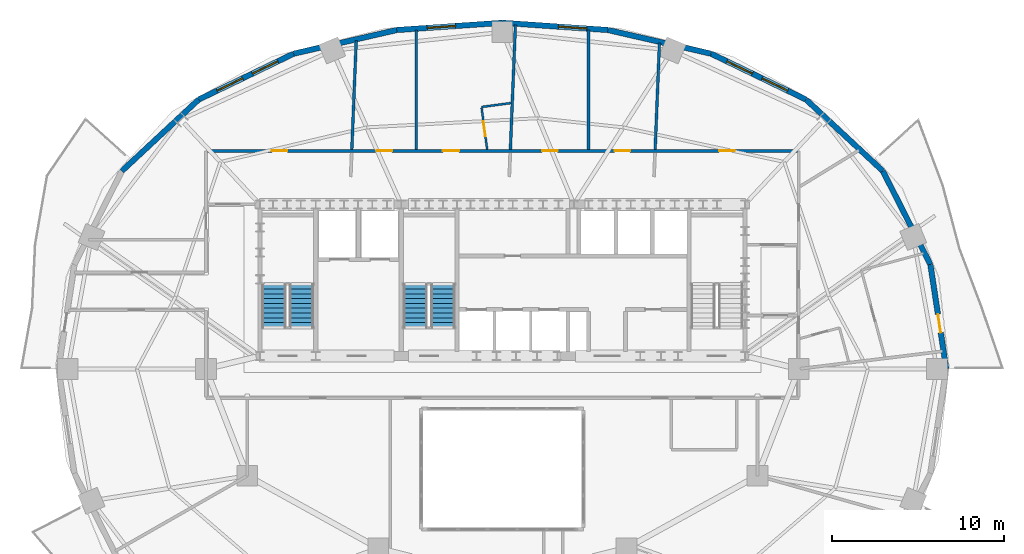
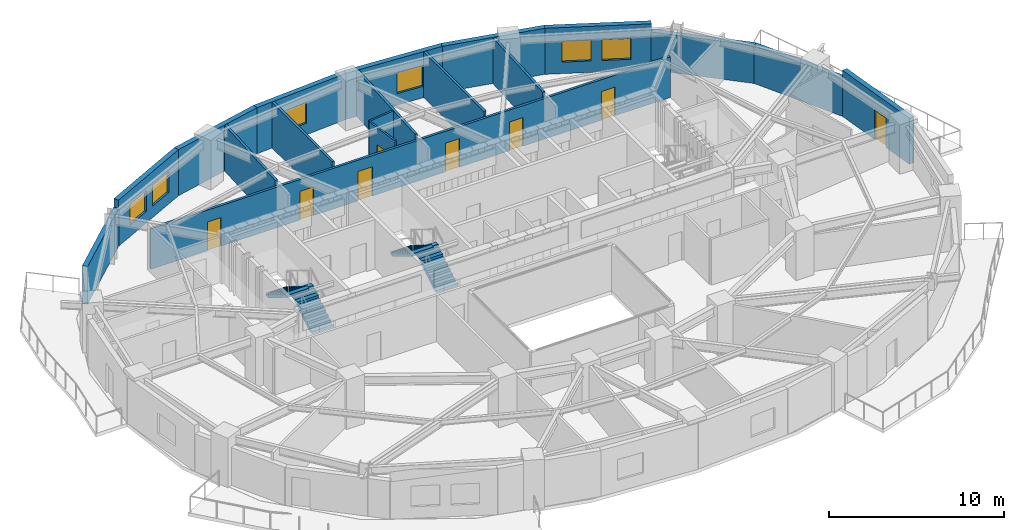
# One storey, part 8 of 13: 18 walls, 8 doors, 6 windows, 4 stair flights, 14 openings, 2 elements without a shape of their own.
"""IFC4 building model written with IfcOpenShell, lengths in metres."""

from ifc_helpers import new_model, si_unit, direction, frame, frame_2d, origin, place, context, subcontext, project, spatial, polyline, rectangle, outline, extrude, material, layer, layer_set, type_object, element, fill, aggregate, save


model = new_model("IFC4")

# Units and contexts
model_context = context("Model", 3, precision=1e-05, world=origin(), true_north=direction((0.0, 1.0)))
body_context = subcontext(model_context, "Body", "Model", "MODEL_VIEW")
ifc_project = project(units=[si_unit("LENGTHUNIT", "METRE"), si_unit("AREAUNIT", "SQUARE_METRE"), si_unit("VOLUMEUNIT", "CUBIC_METRE"), si_unit("PLANEANGLEUNIT", "RADIAN"), si_unit("MASSUNIT", "GRAM", prefix="KILO")], contexts=[model_context])

# Site, building, storey
site_placement = place(None, origin())
site = spatial("IfcSite", under=ifc_project, at=site_placement, CompositionType="ELEMENT")
building_placement = place(site_placement, origin())
building = spatial("IfcBuilding", under=site, at=building_placement, Name="Haldorwick Loom Tower", CompositionType="ELEMENT")
storey_placement = place(building_placement, frame((0.0, 0.0, 139.10009765625)))
storey = spatial("IfcBuildingStorey", under=building, at=storey_placement, Name="L37", CompositionType="ELEMENT", Elevation=139.10009765625)

# Wall, opening, door
ifc_material_1 = material(Name="Pressed Clay Face Brick and Insulated Masonry Backup Assembly", Category="masonry")
ifc_layer_1 = layer(ifc_material_1, 0.320068359375, Name="Pressed Clay Face Brick and Insulated Masonry Backup Assembly", Category="masonry")
ifc_layer_set_1 = layer_set([ifc_layer_1], Name="Pressed Clay Face Brick and Insulated Masonry Backup Assembly")
wall_type_1 = type_object("IfcWallType", Name="ARC-WL-EXT320", PredefinedType="STANDARD", material=ifc_layer_set_1)
wall_1_placement = place(storey_placement, frame((61.757080078125, 26.0, 0.0), z_axis=(0.0, 0.0, 1.0), x_axis=(-0.150544467684, 0.988603238539, 0.0)))
wall_1 = element("IfcWall", 1, at=wall_1_placement, inside=storey, type_object=wall_type_1, Name="L37 Brick Pier and Spandrel Wall 1", PredefinedType="STANDARD", context=body_context, shape_type="SweptSolid", body=[
    extrude(rectangle(XDim=6.125244140625, YDim=0.320068359375, at=frame_2d((3.0625, 0.0))), origin(), (0.0, 0.0, 1.0), 3.2099609375),
])
opening_1_placement = place(wall_1_placement, frame((2.1337890625, 0.0, 0.0)))
opening_1 = element("IfcOpeningElement", 2, at=opening_1_placement, cuts=wall_1, Name="Opening D-BL11", PredefinedType="OPENING", context=body_context, shape_type="SweptSolid", body=[
    extrude(rectangle(XDim=1.080078125, YDim=2.0400390625, at=frame_2d((0.5400390625, 1.02001953125))), frame((0.0, 0.169921875, 0.0), z_axis=(0.0, -1.0, 0.0), x_axis=(1.0, 0.0, 0.0)), (0.0, 0.0, 1.0), 0.340087890625),
])
ifc_material_2 = material(Name="Thermally Broken Anodized Aluminium Curtain Wall Framing", Category="aluminium")
door_type_1 = type_object("IfcDoorType", Name="ARC-DR-BAL110", OperationType="NOTDEFINED", PredefinedType="DOOR", material=ifc_material_2)
door_1_placement = place(opening_1_placement, origin())
door_1 = element("IfcDoor", 3, at=door_1_placement, inside=storey, type_object=door_type_1, Name="L37 Outdoor Terrace Door SLB-L37-BAL_ENE", OperationType="SINGLE_SWING_RIGHT", OverallHeight=2.0400390625, OverallWidth=1.080078125, PredefinedType="DOOR", context=body_context, shape_type="SweptSolid", body=[
    extrude(rectangle(XDim=1.080078125, YDim=2.0400390625, at=frame_2d((0.5400390625, 1.02001953125))), frame((0.0, 0.02490234375, 0.0), z_axis=(0.0, -1.0, 0.0), x_axis=(1.0, 0.0, 0.0)), (0.0, 0.0, 1.0), 0.050048828125),
])
fill(opening_1, door_1)

# Walls
wall_2_placement = place(storey_placement, frame((60.8349609375, 32.055419921875, 0.0), z_axis=(0.0, 0.0, 1.0), x_axis=(-0.453172129629, 0.89142303141, 0.0)))
element("IfcWall", 4, at=wall_2_placement, inside=storey, type_object=wall_type_1, Name="L37 Brick Pier and Spandrel Wall 2", PredefinedType="STANDARD", context=body_context, shape_type="SweptSolid", body=[
    extrude(rectangle(XDim=6.086669921875, YDim=0.320068359375, at=frame_2d((3.04345703125, 0.0))), origin(), (0.0, 0.0, 1.0), 2.640869140625),
])
wall_3_placement = place(storey_placement, frame((58.07666015625, 37.481201171875, 0.0), z_axis=(0.0, 0.0, 1.0), x_axis=(-0.732001571644, 0.681302942244, 0.0)))
element("IfcWall", 5, at=wall_3_placement, inside=storey, type_object=wall_type_1, Name="L37 Brick Pier and Spandrel Wall 3", PredefinedType="STANDARD", context=body_context, shape_type="SweptSolid", body=[
    extrude(rectangle(XDim=6.0869140625, YDim=0.320068359375, at=frame_2d((3.04345703125, 0.0))), origin(), (0.0, 0.0, 1.0), 2.640869140625),
])

# Wall, openings, windows
wall_4_placement = place(storey_placement, frame((53.62109375, 41.628173828125, 0.0), z_axis=(0.0, 0.0, 1.0), x_axis=(-0.900472429216, 0.43491309962, 0.0)))
wall_4 = element("IfcWall", 6, at=wall_4_placement, inside=storey, type_object=wall_type_1, Name="L37 Brick Pier and Spandrel Wall 4", PredefinedType="STANDARD", context=body_context, shape_type="SweptSolid", body=[
    extrude(rectangle(XDim=6.1181640625, YDim=0.320068359375, at=frame_2d((3.05908203125, 0.0))), origin(), (0.0, 0.0, 1.0), 3.2099609375),
])
opening_2_placement = place(wall_4_placement, frame((1.181884765625, 0.0, 0.800048828125)))
opening_2 = element("IfcOpeningElement", 7, at=opening_2_placement, cuts=wall_4, Name="Opening W-01B", PredefinedType="OPENING", context=body_context, shape_type="SweptSolid", body=[
    extrude(rectangle(XDim=1.64990234375, YDim=1.449951171875, at=frame_2d((0.824951171875, 0.72509765625))), frame((0.0, 0.169921875, 0.0), z_axis=(0.0, -1.0, 0.0), x_axis=(1.0, 0.0, 0.0)), (0.0, 0.0, 1.0), 0.340087890625),
])
opening_3_placement = place(wall_4_placement, frame((3.4580078125, 0.0, 0.800048828125)))
opening_3 = element("IfcOpeningElement", 8, at=opening_3_placement, cuts=wall_4, Name="Opening W-01B", PredefinedType="OPENING", context=body_context, shape_type="SweptSolid", body=[
    extrude(rectangle(XDim=1.64990234375, YDim=1.449951171875, at=frame_2d((0.824951171875, 0.72509765625))), frame((0.0, 0.169921875, 0.0), z_axis=(0.0, -1.0, 0.0), x_axis=(1.0, 0.0, 0.0)), (0.0, 0.0, 1.0), 0.340087890625),
])
ifc_material_3 = material(Name="Triple-Glazed Low-E Argon Insulated Glazing Unit", Category="glass")
window_type = type_object("IfcWindowType", Name="ARC-WIN-W165", PartitioningType="SINGLE_PANEL", PredefinedType="WINDOW", material=ifc_material_3)
window_1_placement = place(opening_2_placement, origin())
window_1 = element("IfcWindow", 9, at=window_1_placement, inside=storey, type_object=window_type, Name="L37 Deep-Set Zone 7A Window 4", OverallHeight=1.449951171875, OverallWidth=1.64990234375, PartitioningType="SINGLE_PANEL", PredefinedType="WINDOW", context=body_context, shape_type="SweptSolid", body=[
    extrude(rectangle(XDim=1.64990234375, YDim=1.449951171875, at=frame_2d((0.824951171875, 0.72509765625))), frame((0.0, 0.030029296875, 0.0), z_axis=(0.0, -1.0, 0.0), x_axis=(1.0, 0.0, 0.0)), (0.0, 0.0, 1.0), 0.06005859375),
])
fill(opening_2, window_1)
window_2_placement = place(opening_3_placement, origin())
window_2 = element("IfcWindow", 10, at=window_2_placement, inside=storey, type_object=window_type, Name="L37 Deep-Set Zone 7A Window 4", OverallHeight=1.449951171875, OverallWidth=1.64990234375, PartitioningType="SINGLE_PANEL", PredefinedType="WINDOW", context=body_context, shape_type="SweptSolid", body=[
    extrude(rectangle(XDim=1.64990234375, YDim=1.449951171875, at=frame_2d((0.824951171875, 0.72509765625))), frame((0.0, 0.030029296875, 0.0), z_axis=(0.0, -1.0, 0.0), x_axis=(1.0, 0.0, 0.0)), (0.0, 0.0, 1.0), 0.06005859375),
])
fill(opening_3, window_2)

# Wall
wall_5_placement = place(storey_placement, frame((48.11181640625, 44.2890625, 0.0), z_axis=(0.0, 0.0, 1.0), x_axis=(-0.974593223547, 0.223982250674, 0.0)))
element("IfcWall", 11, at=wall_5_placement, inside=storey, type_object=wall_type_1, Name="L37 Brick Pier and Spandrel Wall 5", PredefinedType="STANDARD", context=body_context, shape_type="SweptSolid", body=[
    extrude(rectangle(XDim=6.138916015625, YDim=0.320068359375, at=frame_2d((3.0693359375, 0.0))), origin(), (0.0, 0.0, 1.0), 3.2099609375),
])

# Wall, opening, window
wall_6_placement = place(storey_placement, frame((42.12890625, 45.6640625, 0.0), z_axis=(0.0, 0.0, 1.0), x_axis=(-0.997652942988, 0.068473391522, 0.0)))
wall_6 = element("IfcWall", 12, at=wall_6_placement, inside=storey, type_object=wall_type_1, Name="L37 Brick Pier and Spandrel Wall 6", PredefinedType="STANDARD", context=body_context, shape_type="SweptSolid", body=[
    extrude(rectangle(XDim=6.143310546875, YDim=0.320068359375, at=frame_2d((3.07177734375, 0.0))), origin(), (0.0, 0.0, 1.0), 3.2099609375),
])
opening_4_placement = place(wall_6_placement, frame((1.233642578125, 0.0, 0.800048828125)))
opening_4 = element("IfcOpeningElement", 13, at=opening_4_placement, cuts=wall_6, Name="Opening W-01B", PredefinedType="OPENING", context=body_context, shape_type="SweptSolid", body=[
    extrude(rectangle(XDim=1.64990234375, YDim=1.449951171875, at=frame_2d((0.824951171875, 0.72509765625))), frame((0.0, 0.169921875, 0.0), z_axis=(0.0, -1.0, 0.0), x_axis=(1.0, 0.0, 0.0)), (0.0, 0.0, 1.0), 0.340087890625),
])
window_3_placement = place(opening_4_placement, origin())
window_3 = element("IfcWindow", 14, at=window_3_placement, inside=storey, type_object=window_type, Name="L37 Deep-Set Zone 7A Window 6", OverallHeight=1.449951171875, OverallWidth=1.64990234375, PartitioningType="SINGLE_PANEL", PredefinedType="WINDOW", context=body_context, shape_type="SweptSolid", body=[
    extrude(rectangle(XDim=1.64990234375, YDim=1.449951171875, at=frame_2d((0.824951171875, 0.72509765625))), frame((0.0, 0.030029296875, 0.0), z_axis=(0.0, -1.0, 0.0), x_axis=(1.0, 0.0, 0.0)), (0.0, 0.0, 1.0), 0.06005859375),
])
fill(opening_4, window_3)

wall_7_placement = place(storey_placement, frame((36.0, 46.084716796875, 0.0), z_axis=(0.0, 0.0, 1.0), x_axis=(-0.997652942988, -0.068473391522, 0.0)))
wall_7 = element("IfcWall", 15, at=wall_7_placement, inside=storey, type_object=wall_type_1, Name="L37 Brick Pier and Spandrel Wall 7", PredefinedType="STANDARD", context=body_context, shape_type="SweptSolid", body=[
    extrude(rectangle(XDim=6.143310546875, YDim=0.320068359375, at=frame_2d((3.07177734375, 0.0))), origin(), (0.0, 0.0, 1.0), 3.2099609375),
])
opening_5_placement = place(wall_7_placement, frame((2.723388671875, 0.0, 0.800048828125)))
opening_5 = element("IfcOpeningElement", 16, at=opening_5_placement, cuts=wall_7, Name="Opening W-01B", PredefinedType="OPENING", context=body_context, shape_type="SweptSolid", body=[
    extrude(rectangle(XDim=1.64990234375, YDim=1.449951171875, at=frame_2d((0.824951171875, 0.72509765625))), frame((0.0, 0.169921875, 0.0), z_axis=(0.0, -1.0, 0.0), x_axis=(1.0, 0.0, 0.0)), (0.0, 0.0, 1.0), 0.340087890625),
])
window_4_placement = place(opening_5_placement, origin())
window_4 = element("IfcWindow", 17, at=window_4_placement, inside=storey, type_object=window_type, Name="L37 Deep-Set Zone 7A Window 7", OverallHeight=1.449951171875, OverallWidth=1.64990234375, PartitioningType="SINGLE_PANEL", PredefinedType="WINDOW", context=body_context, shape_type="SweptSolid", body=[
    extrude(rectangle(XDim=1.64990234375, YDim=1.449951171875, at=frame_2d((0.824951171875, 0.72509765625))), frame((0.0, 0.030029296875, 0.0), z_axis=(0.0, -1.0, 0.0), x_axis=(1.0, 0.0, 0.0)), (0.0, 0.0, 1.0), 0.06005859375),
])
fill(opening_5, window_4)

# Wall
wall_8_placement = place(storey_placement, frame((29.87109375, 45.6640625, 0.0), z_axis=(0.0, 0.0, 1.0), x_axis=(-0.974593223547, -0.223982250674, 0.0)))
element("IfcWall", 18, at=wall_8_placement, inside=storey, type_object=wall_type_1, Name="L37 Brick Pier and Spandrel Wall 8", PredefinedType="STANDARD", context=body_context, shape_type="SweptSolid", body=[
    extrude(rectangle(XDim=6.138916015625, YDim=0.320068359375, at=frame_2d((3.0693359375, 0.0))), origin(), (0.0, 0.0, 1.0), 3.2099609375),
])

# Wall, openings, windows
wall_9_placement = place(storey_placement, frame((23.88818359375, 44.2890625, 0.0), z_axis=(0.0, 0.0, 1.0), x_axis=(-0.900479976617, -0.434897472644, 0.0)))
wall_9 = element("IfcWall", 19, at=wall_9_placement, inside=storey, type_object=wall_type_1, Name="L37 Brick Pier and Spandrel Wall 9", PredefinedType="STANDARD", context=body_context, shape_type="SweptSolid", body=[
    extrude(rectangle(XDim=6.118408203125, YDim=0.320068359375, at=frame_2d((3.05908203125, 0.0))), origin(), (0.0, 0.0, 1.0), 3.2099609375),
])
opening_6_placement = place(wall_9_placement, frame((1.010498046875, 0.0, 0.800048828125)))
opening_6 = element("IfcOpeningElement", 20, at=opening_6_placement, cuts=wall_9, Name="Opening W-01B", PredefinedType="OPENING", context=body_context, shape_type="SweptSolid", body=[
    extrude(rectangle(XDim=1.64990234375, YDim=1.449951171875, at=frame_2d((0.824951171875, 0.72509765625))), frame((0.0, 0.169921875, 0.0), z_axis=(0.0, -1.0, 0.0), x_axis=(1.0, 0.0, 0.0)), (0.0, 0.0, 1.0), 0.340087890625),
])
opening_7_placement = place(wall_9_placement, frame((3.28662109375, 0.0, 0.800048828125)))
opening_7 = element("IfcOpeningElement", 21, at=opening_7_placement, cuts=wall_9, Name="Opening W-01B", PredefinedType="OPENING", context=body_context, shape_type="SweptSolid", body=[
    extrude(rectangle(XDim=1.64990234375, YDim=1.449951171875, at=frame_2d((0.824951171875, 0.72509765625))), frame((0.0, 0.169921875, 0.0), z_axis=(0.0, -1.0, 0.0), x_axis=(1.0, 0.0, 0.0)), (0.0, 0.0, 1.0), 0.340087890625),
])
window_5_placement = place(opening_6_placement, origin())
window_5 = element("IfcWindow", 22, at=window_5_placement, inside=storey, type_object=window_type, Name="L37 Deep-Set Zone 7A Window 9", OverallHeight=1.449951171875, OverallWidth=1.64990234375, PartitioningType="SINGLE_PANEL", PredefinedType="WINDOW", context=body_context, shape_type="SweptSolid", body=[
    extrude(rectangle(XDim=1.64990234375, YDim=1.449951171875, at=frame_2d((0.824951171875, 0.72509765625))), frame((0.0, 0.030029296875, 0.0), z_axis=(0.0, -1.0, 0.0), x_axis=(1.0, 0.0, 0.0)), (0.0, 0.0, 1.0), 0.06005859375),
])
fill(opening_6, window_5)
window_6_placement = place(opening_7_placement, origin())
window_6 = element("IfcWindow", 23, at=window_6_placement, inside=storey, type_object=window_type, Name="L37 Deep-Set Zone 7A Window 9", OverallHeight=1.449951171875, OverallWidth=1.64990234375, PartitioningType="SINGLE_PANEL", PredefinedType="WINDOW", context=body_context, shape_type="SweptSolid", body=[
    extrude(rectangle(XDim=1.64990234375, YDim=1.449951171875, at=frame_2d((0.824951171875, 0.72509765625))), frame((0.0, 0.030029296875, 0.0), z_axis=(0.0, -1.0, 0.0), x_axis=(1.0, 0.0, 0.0)), (0.0, 0.0, 1.0), 0.06005859375),
])
fill(opening_7, window_6)

# Wall
wall_10_placement = place(storey_placement, frame((18.378662109375, 41.628173828125, 0.0), z_axis=(0.0, 0.0, 1.0), x_axis=(-0.731982952968, -0.681322945866, 0.0)))
element("IfcWall", 24, at=wall_10_placement, inside=storey, type_object=wall_type_1, Name="L37 Brick Pier and Spandrel Wall 10", PredefinedType="STANDARD", context=body_context, shape_type="SweptSolid", body=[
    extrude(rectangle(XDim=6.086669921875, YDim=0.320068359375, at=frame_2d((3.04345703125, 0.0))), origin(), (0.0, 0.0, 1.0), 2.640869140625),
])

# Wall, openings, doors
ifc_material_4 = material(Name="Fire-Rated Type X Gypsum Stud Assembly EI 60")
ifc_layer_2 = layer(ifc_material_4, 0.159912109375, Name="Fire-Rated Type X Gypsum Stud Assembly EI 60")
ifc_layer_set_2 = layer_set([ifc_layer_2], Name="Fire-Rated Type X Gypsum Stud Assembly EI 60")
wall_type_2 = type_object("IfcWallType", Name="ARC-WL-FIRE160", PredefinedType="PARTITIONING", material=ifc_layer_set_2)
wall_11_placement = place(storey_placement, frame((18.883056640625, 38.64990234375, 0.0), z_axis=(0.0, 0.0, 1.0), x_axis=(1.0, 0.0, 0.0)))
wall_11 = element("IfcWall", 25, at=wall_11_placement, inside=storey, type_object=wall_type_2, Name="L37 Residential Fire Partition L37-CR-N0", PredefinedType="PARTITIONING", context=body_context, shape_type="SweptSolid", body=[
    extrude(rectangle(XDim=34.23388671875, YDim=0.159912109375, at=frame_2d((17.116943359375, 0.0))), origin(), (0.0, 0.0, 1.0), 2.826904296875),
])
opening_8_placement = place(wall_11_placement, frame((3.746337890625, 0.0, 0.0)))
opening_8 = element("IfcOpeningElement", 26, at=opening_8_placement, cuts=wall_11, Name="Opening D-FD60A", PredefinedType="OPENING", context=body_context, shape_type="SweptSolid", body=[
    extrude(rectangle(XDim=0.89990234375, YDim=2.0, at=frame_2d((0.449951171875, 1.0))), frame((0.0, 0.08984375, 0.0), z_axis=(0.0, -1.0, 0.0), x_axis=(1.0, 0.0, 0.0)), (0.0, 0.0, 1.0), 0.179931640625),
])
opening_9_placement = place(wall_11_placement, frame((29.697998046875, 0.0, 0.0)))
opening_9 = element("IfcOpeningElement", 27, at=opening_9_placement, cuts=wall_11, Name="Opening D-FD60A", PredefinedType="OPENING", context=body_context, shape_type="SweptSolid", body=[
    extrude(rectangle(XDim=0.89990234375, YDim=2.0, at=frame_2d((0.449951171875, 1.0))), frame((0.0, 0.08984375, 0.0), z_axis=(0.0, -1.0, 0.0), x_axis=(1.0, 0.0, 0.0)), (0.0, 0.0, 1.0), 0.179931640625),
])
opening_10_placement = place(wall_11_placement, frame((19.427734375, 0.0, 0.0)))
opening_10 = element("IfcOpeningElement", 28, at=opening_10_placement, cuts=wall_11, Name="Opening D-FD60A", PredefinedType="OPENING", context=body_context, shape_type="SweptSolid", body=[
    extrude(rectangle(XDim=0.89990234375, YDim=2.0, at=frame_2d((0.449951171875, 1.0))), frame((0.0, 0.08984375, 0.0), z_axis=(0.0, -1.0, 0.0), x_axis=(1.0, 0.0, 0.0)), (0.0, 0.0, 1.0), 0.179931640625),
])
opening_11_placement = place(wall_11_placement, frame((13.660400390625, 0.0, 0.0)))
opening_11 = element("IfcOpeningElement", 29, at=opening_11_placement, cuts=wall_11, Name="Opening D-FL95", PredefinedType="OPENING", context=body_context, shape_type="SweptSolid", body=[
    extrude(rectangle(XDim=0.949951171875, YDim=2.0400390625, at=frame_2d((0.47509765625, 1.02001953125))), frame((0.0, 0.08984375, 0.0), z_axis=(0.0, -1.0, 0.0), x_axis=(1.0, 0.0, 0.0)), (0.0, 0.0, 1.0), 0.179931640625),
])
opening_12_placement = place(wall_11_placement, frame((23.624267578125, 0.0, 0.0)))
opening_12 = element("IfcOpeningElement", 30, at=opening_12_placement, cuts=wall_11, Name="Opening D-FD60A", PredefinedType="OPENING", context=body_context, shape_type="SweptSolid", body=[
    extrude(rectangle(XDim=0.89990234375, YDim=2.0, at=frame_2d((0.449951171875, 1.0))), frame((0.0, 0.08984375, 0.0), z_axis=(0.0, -1.0, 0.0), x_axis=(1.0, 0.0, 0.0)), (0.0, 0.0, 1.0), 0.179931640625),
])
opening_13_placement = place(wall_11_placement, frame((9.8203125, 0.0, 0.0)))
opening_13 = element("IfcOpeningElement", 31, at=opening_13_placement, cuts=wall_11, Name="Opening D-FD60A", PredefinedType="OPENING", context=body_context, shape_type="SweptSolid", body=[
    extrude(rectangle(XDim=0.89990234375, YDim=2.0, at=frame_2d((0.449951171875, 1.0))), frame((0.0, 0.08984375, 0.0), z_axis=(0.0, -1.0, 0.0), x_axis=(1.0, 0.0, 0.0)), (0.0, 0.0, 1.0), 0.179931640625),
])
ifc_material_5 = material(Name="Hollow Steel Fire Door Assembly", Category="steel")
door_type_2 = type_object("IfcDoorType", Name="ARC-DR-FD60-90", OperationType="NOTDEFINED", PredefinedType="DOOR", material=ifc_material_5)
door_2_placement = place(opening_8_placement, frame((0.89990234375, 0.0, 0.0), z_axis=(0.0, 0.0, 1.0), x_axis=(-1.0, 0.0, 0.0)))
door_2 = element("IfcDoor", 32, at=door_2_placement, inside=storey, type_object=door_type_2, Name="L37 Shared Resident Dining Hall 5 to L37 North Residential Corridor Door", OperationType="SINGLE_SWING_LEFT", OverallHeight=2.0, OverallWidth=0.89990234375, PredefinedType="DOOR", context=body_context, shape_type="SweptSolid", body=[
    extrude(rectangle(XDim=0.89990234375, YDim=2.0, at=frame_2d((0.449951171875, 1.0))), frame((0.0, 0.02490234375, 0.0), z_axis=(0.0, -1.0, 0.0), x_axis=(1.0, 0.0, 0.0)), (0.0, 0.0, 1.0), 0.050048828125),
])
fill(opening_8, door_2)
door_3_placement = place(opening_9_placement, frame((0.89990234375, 0.0, 0.0), z_axis=(0.0, 0.0, 1.0), x_axis=(-1.0, 0.0, 0.0)))
door_3 = element("IfcDoor", 33, at=door_3_placement, inside=storey, type_object=door_type_2, Name="L37 Resident Cafe Room 2 to L37 North Residential Corridor Door", OperationType="SINGLE_SWING_RIGHT", OverallHeight=2.0, OverallWidth=0.89990234375, PredefinedType="DOOR", context=body_context, shape_type="SweptSolid", body=[
    extrude(rectangle(XDim=0.89990234375, YDim=2.0, at=frame_2d((0.449951171875, 1.0))), frame((0.0, 0.02490234375, 0.0), z_axis=(0.0, -1.0, 0.0), x_axis=(1.0, 0.0, 0.0)), (0.0, 0.0, 1.0), 0.050048828125),
])
fill(opening_9, door_3)
door_4_placement = place(opening_10_placement, frame((0.89990234375, 0.0, 0.0), z_axis=(0.0, 0.0, 1.0), x_axis=(-1.0, 0.0, 0.0)))
door_4 = element("IfcDoor", 34, at=door_4_placement, inside=storey, type_object=door_type_2, Name="L37 Tenant Committee Meeting Room 12 to L37 North Residential Corridor D", OperationType="SINGLE_SWING_LEFT", OverallHeight=2.0, OverallWidth=0.89990234375, PredefinedType="DOOR", context=body_context, shape_type="SweptSolid", body=[
    extrude(rectangle(XDim=0.89990234375, YDim=2.0, at=frame_2d((0.449951171875, 1.0))), frame((0.0, 0.02490234375, 0.0), z_axis=(0.0, -1.0, 0.0), x_axis=(1.0, 0.0, 0.0)), (0.0, 0.0, 1.0), 0.050048828125),
])
fill(opening_10, door_4)
door_5_placement = place(opening_12_placement, frame((0.89990234375, 0.0, 0.0), z_axis=(0.0, 0.0, 1.0), x_axis=(-1.0, 0.0, 0.0)))
door_5 = element("IfcDoor", 35, at=door_5_placement, inside=storey, type_object=door_type_2, Name="L37 Wellness Consultation Room 11 to L37 North Residential Corridor Door", OperationType="SINGLE_SWING_RIGHT", OverallHeight=2.0, OverallWidth=0.89990234375, PredefinedType="DOOR", context=body_context, shape_type="SweptSolid", body=[
    extrude(rectangle(XDim=0.89990234375, YDim=2.0, at=frame_2d((0.449951171875, 1.0))), frame((0.0, 0.02490234375, 0.0), z_axis=(0.0, -1.0, 0.0), x_axis=(1.0, 0.0, 0.0)), (0.0, 0.0, 1.0), 0.050048828125),
])
fill(opening_12, door_5)
door_6_placement = place(opening_13_placement, frame((0.89990234375, 0.0, 0.0), z_axis=(0.0, 0.0, 1.0), x_axis=(-1.0, 0.0, 0.0)))
door_6 = element("IfcDoor", 36, at=door_6_placement, inside=storey, type_object=door_type_2, Name="L37 Tenant Committee Meeting Room 10 to L37 North Residential Corridor D", OperationType="SINGLE_SWING_RIGHT", OverallHeight=2.0, OverallWidth=0.89990234375, PredefinedType="DOOR", context=body_context, shape_type="SweptSolid", body=[
    extrude(rectangle(XDim=0.89990234375, YDim=2.0, at=frame_2d((0.449951171875, 1.0))), frame((0.0, 0.02490234375, 0.0), z_axis=(0.0, -1.0, 0.0), x_axis=(1.0, 0.0, 0.0)), (0.0, 0.0, 1.0), 0.050048828125),
])
fill(opening_13, door_6)
ifc_material_6 = material(Name="Solid Core Birch Architectural Door")
door_type_3 = type_object("IfcDoorType", Name="ARC-DR-FLAT95", OperationType="NOTDEFINED", PredefinedType="DOOR", material=ifc_material_6)
door_7_placement = place(opening_11_placement, frame((0.949951171875, 0.0, 0.0), z_axis=(0.0, 0.0, 1.0), x_axis=(-1.0, 0.0, 0.0)))
door_7 = element("IfcDoor", 37, at=door_7_placement, inside=storey, type_object=door_type_3, Name="L37 Unit 37F Kitchen and Studio Living Room to L37 North Residential Cor", OperationType="SINGLE_SWING_LEFT", OverallHeight=2.0400390625, OverallWidth=0.949951171875, PredefinedType="DOOR", context=body_context, shape_type="SweptSolid", body=[
    extrude(rectangle(XDim=0.949951171875, YDim=2.0400390625, at=frame_2d((0.47509765625, 1.02001953125))), frame((0.0, 0.02490234375, 0.0), z_axis=(0.0, -1.0, 0.0), x_axis=(1.0, 0.0, 0.0)), (0.0, 0.0, 1.0), 0.050048828125),
])
fill(opening_11, door_7)

# Walls
for number, where, z_axis, x_axis, name in (
    (38, (31.0, 38.73291015625, 0.0), (0.0, 0.0, 1.0), (0.0, 1.0, 0.0), "L37 Residential Fire Partition L37-NBP-0"),
    (39, (41.0, 38.73291015625, 0.0), (0.0, 0.0, 1.0), (0.0, 1.0, 0.0), "L37 Residential Fire Partition L37-NBP-1"),
):
    element("IfcWall", number, at=place(storey_placement, frame(where, z_axis=z_axis, x_axis=x_axis)), inside=storey, type_object=wall_type_2, Name=name, PredefinedType="PARTITIONING", context=body_context, shape_type="SweptSolid", body=[
        extrude(rectangle(XDim=6.943359375, YDim=0.159912109375, at=frame_2d((3.4716796875, 0.0))), origin(), (0.0, 0.0, 1.0), 3.19482421875),
    ])
wall_12_placement = place(storey_placement, frame((27.264404296875, 38.73291015625, 0.0), z_axis=(0.0, 0.0, 1.0), x_axis=(0.040539530961, 0.99917793532, 0.0)))
element("IfcWall", 40, at=wall_12_placement, inside=storey, type_object=wall_type_2, Name="L37 Residential Fire Partition L37-UPN-12", PredefinedType="PARTITIONING", context=body_context, shape_type="SweptSolid", body=[
    extrude(rectangle(XDim=6.329345703125, YDim=0.159912109375, at=frame_2d((3.16455078125, 0.0))), origin(), (0.0, 0.0, 1.0), 3.19482421875),
])
wall_13_placement = place(storey_placement, frame((36.46435546875, 38.73291015625, 0.0), z_axis=(0.0, 0.0, 1.0), x_axis=(0.040530922585, 0.999178284549, 0.0)))
element("IfcWall", 41, at=wall_13_placement, inside=storey, type_object=wall_type_2, Name="L37 Residential Fire Partition L37-UPN-13", PredefinedType="PARTITIONING", context=body_context, shape_type="SweptSolid", body=[
    extrude(rectangle(XDim=7.240234375, YDim=0.159912109375, at=frame_2d((3.6201171875, 0.0))), origin(), (0.0, 0.0, 1.0), 3.19482421875),
])
wall_14_placement = place(storey_placement, frame((44.8642578125, 38.73291015625, 0.0), z_axis=(0.0, 0.0, 1.0), x_axis=(0.040551481586, 0.999177450377, 0.0)))
element("IfcWall", 42, at=wall_14_placement, inside=storey, type_object=wall_type_2, Name="L37 Residential Fire Partition L37-UPN-14", PredefinedType="PARTITIONING", context=body_context, shape_type="SweptSolid", body=[
    extrude(rectangle(XDim=6.18310546875, YDim=0.159912109375, at=frame_2d((3.091552734375, 0.0))), origin(), (0.0, 0.0, 1.0), 3.19482421875),
])
ifc_material_7 = material(Name="Acoustic Gypsum Stud Assembly STC 55")
ifc_layer_3 = layer(ifc_material_7, 0.1201171875, Name="Acoustic Gypsum Stud Assembly STC 55")
ifc_layer_set_3 = layer_set([ifc_layer_3], Name="Acoustic Gypsum Stud Assembly STC 55")
wall_type_3 = type_object("IfcWallType", Name="ARC-WL-PART120", PredefinedType="PARTITIONING", material=ifc_layer_set_3)
wall_15_placement = place(storey_placement, frame((36.490478515625, 41.4248046875, 0.0), z_axis=(0.0, 0.0, 1.0), x_axis=(-0.991252724576, -0.131977407232, 0.0)))
element("IfcWall", 43, at=wall_15_placement, inside=storey, type_object=wall_type_3, Name="L37 Unit 37F Interior Partition", PredefinedType="PARTITIONING", context=body_context, shape_type="SweptSolid", body=[
    extrude(rectangle(XDim=1.716796875, YDim=0.1201171875, at=frame_2d((0.8583984375, 0.0))), origin(), (0.0, 0.0, 1.0), 3.19482421875),
])

# Wall, opening, door
wall_16_placement = place(storey_placement, frame((35.116943359375, 38.73291015625, 0.0), z_axis=(0.0, 0.0, 1.0), x_axis=(-0.13193941223, 0.991257782567, 0.0)))
wall_16 = element("IfcWall", 44, at=wall_16_placement, inside=storey, type_object=wall_type_3, Name="L37 Unit 37F Interior Partition", PredefinedType="PARTITIONING", context=body_context, shape_type="SweptSolid", body=[
    extrude(rectangle(XDim=2.424072265625, YDim=0.1201171875, at=frame_2d((1.2119140625, 0.0))), origin(), (0.0, 0.0, 1.0), 3.19482421875),
])
opening_14_placement = place(wall_16_placement, frame((0.77197265625, 0.0, 0.0)))
opening_14 = element("IfcOpeningElement", 45, at=opening_14_placement, cuts=wall_16, Name="Opening D-BT88", PredefinedType="OPENING", context=body_context, shape_type="SweptSolid", body=[
    extrude(rectangle(XDim=0.8798828125, YDim=2.02001953125, at=frame_2d((0.43994140625, 1.010009765625))), frame((0.0, 0.070068359375, 0.0), z_axis=(0.0, -1.0, 0.0), x_axis=(1.0, 0.0, 0.0)), (0.0, 0.0, 1.0), 0.14013671875),
])
door_type_4 = type_object("IfcDoorType", Name="ARC-DR-BATH88", OperationType="NOTDEFINED", PredefinedType="DOOR", material=ifc_material_6)
door_8_placement = place(opening_14_placement, origin())
door_8 = element("IfcDoor", 46, at=door_8_placement, inside=storey, type_object=door_type_4, Name="L37 Unit 37F Kitchen and Studio Living Room to Unit 37F Bathroom Door", OperationType="SINGLE_SWING_LEFT", OverallHeight=2.02001953125, OverallWidth=0.8798828125, PredefinedType="DOOR", context=body_context, shape_type="SweptSolid", body=[
    extrude(rectangle(XDim=0.8798828125, YDim=2.02001953125, at=frame_2d((0.43994140625, 1.010009765625))), frame((0.0, 0.02490234375, 0.0), z_axis=(0.0, -1.0, 0.0), x_axis=(1.0, 0.0, 0.0)), (0.0, 0.0, 1.0), 0.050048828125),
])
fill(opening_14, door_8)

# Stair, stair flights
ifc_material_8 = material(Name="Concrete C40 (40 MPa)", Category="concrete")
stair_type = type_object("IfcStairType", Name="STR-STR-CORE", PredefinedType="HALF_TURN_STAIR", material=ifc_material_8)
stair_1_placement = place(storey_placement, origin())
stair_1 = element("IfcStair", 47, at=stair_1_placement, inside=storey, type_object=stair_type, Name="L37 Exit Stair ST-01", PredefinedType="HALF_TURN_STAIR")
stair_flight_type = type_object("IfcStairFlightType", Name="STR-STF-1250", PredefinedType="STRAIGHT", material=ifc_material_8)
stair_flight_1_placement = place(storey_placement, frame((24.35009765625, 28.39990234375, 0.0), z_axis=(0.0, 0.0, 1.0), x_axis=(0.0, 1.0, 0.0)))
stair_flight_1 = element("IfcStairFlight", 48, at=stair_flight_1_placement, type_object=stair_flight_type, Name="ST-01 flight 1", NumberOfRisers=10, NumberOfTreads=9, PredefinedType="STRAIGHT", RiserHeight=0.1725, TreadLength=0.28, context=body_context, shape_type="SweptSolid", body=[
    extrude(outline(polyline([(0.0, 0.0), (0.0, 0.172607421875), (0.280029296875, 0.172607421875), (0.280029296875, 0.344970703125), (0.56005859375, 0.344970703125), (0.56005859375, 0.517578125), (0.840087890625, 0.517578125), (0.840087890625, 0.68994140625), (1.1201171875, 0.68994140625), (1.1201171875, 0.862548828125), (1.39990234375, 0.862548828125), (1.39990234375, 1.034912109375), (1.679931640625, 1.034912109375), (1.679931640625, 1.20751953125), (1.9599609375, 1.20751953125), (1.9599609375, 1.3798828125), (2.239990234375, 1.3798828125), (2.239990234375, 1.552490234375), (2.52001953125, 1.552490234375), (2.52001953125, 1.72509765625), (2.52001953125, 1.37646484375), (0.285888671875, 0.0), (0.0, 0.0)])), frame((0.0, 0.699951171875, 0.0), z_axis=(0.0, -1.0, 0.0), x_axis=(1.0, 0.0, 0.0)), (0.0, 0.0, 1.0), 1.39990234375),
])
stair_flight_2_placement = place(storey_placement, frame((22.75, 30.919921875, 1.724853515625), z_axis=(0.0, 0.0, 1.0), x_axis=(0.0, -1.0, 0.0)))
stair_flight_2 = element("IfcStairFlight", 49, at=stair_flight_2_placement, type_object=stair_flight_type, Name="ST-01 flight 2", NumberOfRisers=10, NumberOfTreads=9, PredefinedType="STRAIGHT", RiserHeight=0.1725, TreadLength=0.28, context=body_context, shape_type="SweptSolid", body=[
    extrude(outline(polyline([(0.0, 0.0), (0.0, 0.172607421875), (0.280029296875, 0.172607421875), (0.280029296875, 0.344970703125), (0.56005859375, 0.344970703125), (0.56005859375, 0.517578125), (0.840087890625, 0.517578125), (0.840087890625, 0.68994140625), (1.1201171875, 0.68994140625), (1.1201171875, 0.862548828125), (1.39990234375, 0.862548828125), (1.39990234375, 1.034912109375), (1.679931640625, 1.034912109375), (1.679931640625, 1.20751953125), (1.9599609375, 1.20751953125), (1.9599609375, 1.3798828125), (2.239990234375, 1.3798828125), (2.239990234375, 1.552490234375), (2.52001953125, 1.552490234375), (2.52001953125, 1.72509765625), (2.52001953125, 1.37646484375), (0.285888671875, 0.0), (0.0, 0.0)])), frame((0.0, 0.699951171875, 0.0), z_axis=(0.0, -1.0, 0.0), x_axis=(1.0, 0.0, 0.0)), (0.0, 0.0, 1.0), 1.39990234375),
])
aggregate(stair_1, [stair_flight_1, stair_flight_2])

stair_2_placement = place(storey_placement, origin())
stair_2 = element("IfcStair", 50, at=stair_2_placement, inside=storey, type_object=stair_type, Name="L37 Exit Stair ST-03", PredefinedType="HALF_TURN_STAIR")
stair_flight_3_placement = place(storey_placement, frame((32.550048828125, 28.39990234375, 0.0), z_axis=(0.0, 0.0, 1.0), x_axis=(0.0, 1.0, 0.0)))
stair_flight_3 = element("IfcStairFlight", 51, at=stair_flight_3_placement, type_object=stair_flight_type, Name="ST-03 flight 1", NumberOfRisers=10, NumberOfTreads=9, PredefinedType="STRAIGHT", RiserHeight=0.1725, TreadLength=0.28, context=body_context, shape_type="SweptSolid", body=[
    extrude(outline(polyline([(0.0, 0.0), (0.0, 0.172607421875), (0.280029296875, 0.172607421875), (0.280029296875, 0.344970703125), (0.56005859375, 0.344970703125), (0.56005859375, 0.517578125), (0.840087890625, 0.517578125), (0.840087890625, 0.68994140625), (1.1201171875, 0.68994140625), (1.1201171875, 0.862548828125), (1.39990234375, 0.862548828125), (1.39990234375, 1.034912109375), (1.679931640625, 1.034912109375), (1.679931640625, 1.20751953125), (1.9599609375, 1.20751953125), (1.9599609375, 1.3798828125), (2.239990234375, 1.3798828125), (2.239990234375, 1.552490234375), (2.52001953125, 1.552490234375), (2.52001953125, 1.72509765625), (2.52001953125, 1.37646484375), (0.285888671875, 0.0), (0.0, 0.0)])), frame((0.0, 0.699951171875, 0.0), z_axis=(0.0, -1.0, 0.0), x_axis=(1.0, 0.0, 0.0)), (0.0, 0.0, 1.0), 1.39990234375),
])
stair_flight_4_placement = place(storey_placement, frame((30.949951171875, 30.919921875, 1.724853515625), z_axis=(0.0, 0.0, 1.0), x_axis=(0.0, -1.0, 0.0)))
stair_flight_4 = element("IfcStairFlight", 52, at=stair_flight_4_placement, type_object=stair_flight_type, Name="ST-03 flight 2", NumberOfRisers=10, NumberOfTreads=9, PredefinedType="STRAIGHT", RiserHeight=0.1725, TreadLength=0.28, context=body_context, shape_type="SweptSolid", body=[
    extrude(outline(polyline([(0.0, 0.0), (0.0, 0.172607421875), (0.280029296875, 0.172607421875), (0.280029296875, 0.344970703125), (0.56005859375, 0.344970703125), (0.56005859375, 0.517578125), (0.840087890625, 0.517578125), (0.840087890625, 0.68994140625), (1.1201171875, 0.68994140625), (1.1201171875, 0.862548828125), (1.39990234375, 0.862548828125), (1.39990234375, 1.034912109375), (1.679931640625, 1.034912109375), (1.679931640625, 1.20751953125), (1.9599609375, 1.20751953125), (1.9599609375, 1.3798828125), (2.239990234375, 1.3798828125), (2.239990234375, 1.552490234375), (2.52001953125, 1.552490234375), (2.52001953125, 1.72509765625), (2.52001953125, 1.37646484375), (0.285888671875, 0.0), (0.0, 0.0)])), frame((0.0, 0.699951171875, 0.0), z_axis=(0.0, -1.0, 0.0), x_axis=(1.0, 0.0, 0.0)), (0.0, 0.0, 1.0), 1.39990234375),
])
aggregate(stair_2, [stair_flight_3, stair_flight_4])

save(model, "model.ifc")
